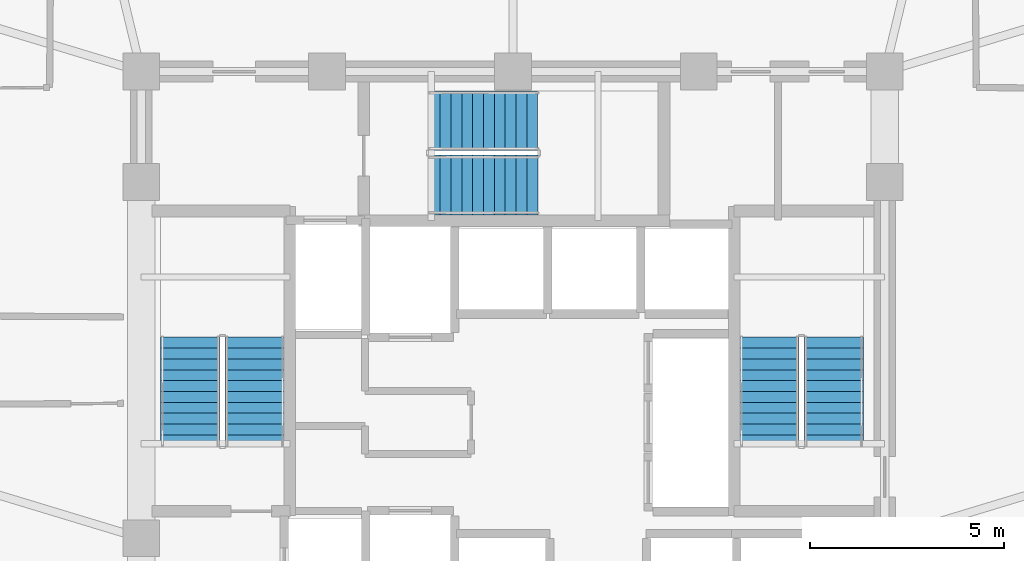
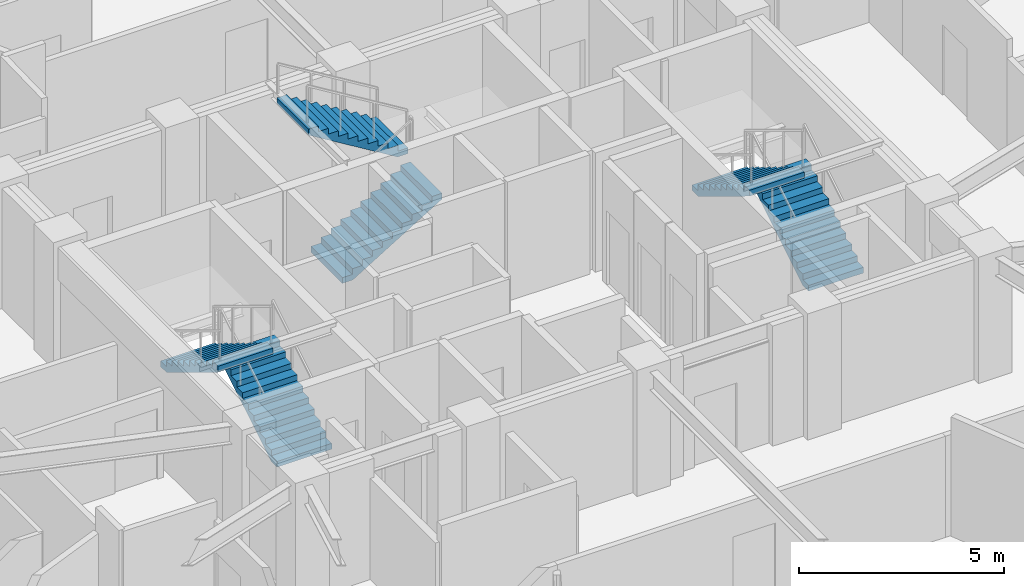
# One storey, part 13 of 16: 6 stair flights, 3 elements without a shape of their own.
"""IFC4 building model written with IfcOpenShell, lengths in metres."""

from ifc_helpers import new_model, si_unit, direction, frame, origin, place, context, subcontext, project, spatial, polyline, outline, extrude, material, type_object, element, aggregate, save


model = new_model("IFC4")

# Units and contexts
model_context = context("Model", 3, precision=1e-05, world=origin(), true_north=direction((0.0, 1.0)))
body_context = subcontext(model_context, "Body", "Model", "MODEL_VIEW")
ifc_project = project(units=[si_unit("LENGTHUNIT", "METRE"), si_unit("AREAUNIT", "SQUARE_METRE"), si_unit("VOLUMEUNIT", "CUBIC_METRE"), si_unit("PLANEANGLEUNIT", "RADIAN"), si_unit("MASSUNIT", "GRAM", prefix="KILO")], contexts=[model_context])

# Site, building, storey
site_placement = place(None, origin())
site = spatial("IfcSite", under=ifc_project, at=site_placement, CompositionType="ELEMENT")
building_placement = place(site_placement, origin())
building = spatial("IfcBuilding", under=site, at=building_placement, Name="Vantalir Tower", CompositionType="ELEMENT")
storey_placement = place(building_placement, frame((0.0, 0.0, 145.949951171875)))
storey = spatial("IfcBuildingStorey", under=building, at=storey_placement, Name="L36", CompositionType="ELEMENT", Elevation=145.949951171875)

# Stair, stair flights
ifc_material = material(Name="Concrete C40/50", Category="concrete")
stair_type = type_object("IfcStairType", Name="STR-CORE-1450", PredefinedType="HALF_TURN_STAIR", material=ifc_material)
stair_1_placement = place(storey_placement, origin())
stair_1 = element("IfcStair", 1, at=stair_1_placement, inside=storey, type_object=stair_type, Name="L36 Core Exit Stair 1", PredefinedType="HALF_TURN_STAIR")
stair_flight_type = type_object("IfcStairFlightType", Name="FLT-CORE-1450", PredefinedType="STRAIGHT", material=ifc_material)
stair_flight_1_placement = place(storey_placement, frame((24.830078125, 22.7900390625, 0.0), z_axis=(0.0, 0.0, 1.0), x_axis=(0.0, 1.0, 0.0)))
stair_flight_1 = element("IfcStairFlight", 2, at=stair_flight_1_placement, type_object=stair_flight_type, Name="ST1 flight 1", NumberOfRisers=11, NumberOfTreads=10, PredefinedType="STRAIGHT", RiserHeight=0.170454545, TreadLength=0.28, context=body_context, shape_type="SweptSolid", body=[
    extrude(outline(polyline([(0.0, 0.0), (0.0, 0.17041015625), (0.280029296875, 0.17041015625), (0.280029296875, 0.3408203125), (0.56005859375, 0.3408203125), (0.56005859375, 0.511474609375), (0.840087890625, 0.511474609375), (0.840087890625, 0.681884765625), (1.1201171875, 0.681884765625), (1.1201171875, 0.852294921875), (1.39990234375, 0.852294921875), (1.39990234375, 1.022705078125), (1.679931640625, 1.022705078125), (1.679931640625, 1.193115234375), (1.9599609375, 1.193115234375), (1.9599609375, 1.363525390625), (2.239990234375, 1.363525390625), (2.239990234375, 1.5341796875), (2.52001953125, 1.5341796875), (2.52001953125, 1.70458984375), (2.800048828125, 1.70458984375), (2.800048828125, 1.875), (2.800048828125, 1.529052734375), (0.288330078125, 0.0), (0.0, 0.0)])), frame((0.0, 0.77001953125, 0.0), z_axis=(0.0, -1.0, 0.0), x_axis=(1.0, 0.0, 0.0)), (0.0, 0.0, 1.0), 1.5400390625),
])
stair_flight_2_placement = place(storey_placement, frame((23.169921875, 25.590087890625, 1.875), z_axis=(0.0, 0.0, 1.0), x_axis=(0.0, -1.0, 0.0)))
stair_flight_2 = element("IfcStairFlight", 3, at=stair_flight_2_placement, type_object=stair_flight_type, Name="ST1 flight 2", NumberOfRisers=11, NumberOfTreads=10, PredefinedType="STRAIGHT", RiserHeight=0.170454545, TreadLength=0.28, context=body_context, shape_type="SweptSolid", body=[
    extrude(outline(polyline([(0.0, 0.0), (0.0, 0.17041015625), (0.280029296875, 0.17041015625), (0.280029296875, 0.3408203125), (0.56005859375, 0.3408203125), (0.56005859375, 0.511474609375), (0.840087890625, 0.511474609375), (0.840087890625, 0.681884765625), (1.1201171875, 0.681884765625), (1.1201171875, 0.852294921875), (1.39990234375, 0.852294921875), (1.39990234375, 1.022705078125), (1.679931640625, 1.022705078125), (1.679931640625, 1.193115234375), (1.9599609375, 1.193115234375), (1.9599609375, 1.363525390625), (2.239990234375, 1.363525390625), (2.239990234375, 1.5341796875), (2.52001953125, 1.5341796875), (2.52001953125, 1.70458984375), (2.800048828125, 1.70458984375), (2.800048828125, 1.875), (2.800048828125, 1.529052734375), (0.288330078125, 0.0), (0.0, 0.0)])), frame((0.0, 0.77001953125, 0.0), z_axis=(0.0, -1.0, 0.0), x_axis=(1.0, 0.0, 0.0)), (0.0, 0.0, 1.0), 1.5400390625),
])
aggregate(stair_1, [stair_flight_1, stair_flight_2])

stair_2_placement = place(storey_placement, origin())
stair_2 = element("IfcStair", 4, at=stair_2_placement, inside=storey, type_object=stair_type, Name="L36 Core Exit Stair 2", PredefinedType="HALF_TURN_STAIR")
stair_flight_3_placement = place(storey_placement, frame((39.780029296875, 22.7900390625, 0.0), z_axis=(0.0, 0.0, 1.0), x_axis=(0.0, 1.0, 0.0)))
stair_flight_3 = element("IfcStairFlight", 5, at=stair_flight_3_placement, type_object=stair_flight_type, Name="ST2 flight 1", NumberOfRisers=11, NumberOfTreads=10, PredefinedType="STRAIGHT", RiserHeight=0.170454545, TreadLength=0.28, context=body_context, shape_type="SweptSolid", body=[
    extrude(outline(polyline([(0.0, 0.0), (0.0, 0.17041015625), (0.280029296875, 0.17041015625), (0.280029296875, 0.3408203125), (0.56005859375, 0.3408203125), (0.56005859375, 0.511474609375), (0.840087890625, 0.511474609375), (0.840087890625, 0.681884765625), (1.1201171875, 0.681884765625), (1.1201171875, 0.852294921875), (1.39990234375, 0.852294921875), (1.39990234375, 1.022705078125), (1.679931640625, 1.022705078125), (1.679931640625, 1.193115234375), (1.9599609375, 1.193115234375), (1.9599609375, 1.363525390625), (2.239990234375, 1.363525390625), (2.239990234375, 1.5341796875), (2.52001953125, 1.5341796875), (2.52001953125, 1.70458984375), (2.800048828125, 1.70458984375), (2.800048828125, 1.875), (2.800048828125, 1.529052734375), (0.288330078125, 0.0), (0.0, 0.0)])), frame((0.0, 0.77001953125, 0.0), z_axis=(0.0, -1.0, 0.0), x_axis=(1.0, 0.0, 0.0)), (0.0, 0.0, 1.0), 1.5400390625),
])
stair_flight_4_placement = place(storey_placement, frame((38.1201171875, 25.590087890625, 1.875), z_axis=(0.0, 0.0, 1.0), x_axis=(0.0, -1.0, 0.0)))
stair_flight_4 = element("IfcStairFlight", 6, at=stair_flight_4_placement, type_object=stair_flight_type, Name="ST2 flight 2", NumberOfRisers=11, NumberOfTreads=10, PredefinedType="STRAIGHT", RiserHeight=0.170454545, TreadLength=0.28, context=body_context, shape_type="SweptSolid", body=[
    extrude(outline(polyline([(0.0, 0.0), (0.0, 0.17041015625), (0.280029296875, 0.17041015625), (0.280029296875, 0.3408203125), (0.56005859375, 0.3408203125), (0.56005859375, 0.511474609375), (0.840087890625, 0.511474609375), (0.840087890625, 0.681884765625), (1.1201171875, 0.681884765625), (1.1201171875, 0.852294921875), (1.39990234375, 0.852294921875), (1.39990234375, 1.022705078125), (1.679931640625, 1.022705078125), (1.679931640625, 1.193115234375), (1.9599609375, 1.193115234375), (1.9599609375, 1.363525390625), (2.239990234375, 1.363525390625), (2.239990234375, 1.5341796875), (2.52001953125, 1.5341796875), (2.52001953125, 1.70458984375), (2.800048828125, 1.70458984375), (2.800048828125, 1.875), (2.800048828125, 1.529052734375), (0.288330078125, 0.0), (0.0, 0.0)])), frame((0.0, 0.77001953125, 0.0), z_axis=(0.0, -1.0, 0.0), x_axis=(1.0, 0.0, 0.0)), (0.0, 0.0, 1.0), 1.5400390625),
])
aggregate(stair_2, [stair_flight_3, stair_flight_4])

stair_3_placement = place(storey_placement, origin())
stair_3 = element("IfcStair", 7, at=stair_3_placement, inside=storey, type_object=stair_type, Name="L36 Core Exit Stair 3", PredefinedType="HALF_TURN_STAIR")
stair_flight_5_placement = place(storey_placement, frame((29.340087890625, 29.52001953125, 0.0), z_axis=(0.0, 0.0, 1.0), x_axis=(1.0, 0.0, 0.0)))
stair_flight_5 = element("IfcStairFlight", 8, at=stair_flight_5_placement, type_object=stair_flight_type, Name="ST3 flight 1", NumberOfRisers=11, NumberOfTreads=10, PredefinedType="STRAIGHT", RiserHeight=0.170454545, TreadLength=0.28, context=body_context, shape_type="SweptSolid", body=[
    extrude(outline(polyline([(0.0, 0.0), (0.0, 0.17041015625), (0.280029296875, 0.17041015625), (0.280029296875, 0.3408203125), (0.56005859375, 0.3408203125), (0.56005859375, 0.511474609375), (0.840087890625, 0.511474609375), (0.840087890625, 0.681884765625), (1.1201171875, 0.681884765625), (1.1201171875, 0.852294921875), (1.39990234375, 0.852294921875), (1.39990234375, 1.022705078125), (1.679931640625, 1.022705078125), (1.679931640625, 1.193115234375), (1.9599609375, 1.193115234375), (1.9599609375, 1.363525390625), (2.239990234375, 1.363525390625), (2.239990234375, 1.5341796875), (2.52001953125, 1.5341796875), (2.52001953125, 1.70458984375), (2.800048828125, 1.70458984375), (2.800048828125, 1.875), (2.800048828125, 1.529052734375), (0.288330078125, 0.0), (0.0, 0.0)])), frame((0.0, 0.77001953125, 0.0), z_axis=(0.0, -1.0, 0.0), x_axis=(1.0, 0.0, 0.0)), (0.0, 0.0, 1.0), 1.5400390625),
])
stair_flight_6_placement = place(storey_placement, frame((32.139892578125, 31.179931640625, 1.875), z_axis=(0.0, 0.0, 1.0), x_axis=(-1.0, 0.0, 0.0)))
stair_flight_6 = element("IfcStairFlight", 9, at=stair_flight_6_placement, type_object=stair_flight_type, Name="ST3 flight 2", NumberOfRisers=11, NumberOfTreads=10, PredefinedType="STRAIGHT", RiserHeight=0.170454545, TreadLength=0.28, context=body_context, shape_type="SweptSolid", body=[
    extrude(outline(polyline([(0.0, 0.0), (0.0, 0.17041015625), (0.280029296875, 0.17041015625), (0.280029296875, 0.3408203125), (0.56005859375, 0.3408203125), (0.56005859375, 0.511474609375), (0.840087890625, 0.511474609375), (0.840087890625, 0.681884765625), (1.1201171875, 0.681884765625), (1.1201171875, 0.852294921875), (1.39990234375, 0.852294921875), (1.39990234375, 1.022705078125), (1.679931640625, 1.022705078125), (1.679931640625, 1.193115234375), (1.9599609375, 1.193115234375), (1.9599609375, 1.363525390625), (2.239990234375, 1.363525390625), (2.239990234375, 1.5341796875), (2.52001953125, 1.5341796875), (2.52001953125, 1.70458984375), (2.800048828125, 1.70458984375), (2.800048828125, 1.875), (2.800048828125, 1.529052734375), (0.288330078125, 0.0), (0.0, 0.0)])), frame((0.0, 0.77001953125, 0.0), z_axis=(0.0, -1.0, 0.0), x_axis=(1.0, 0.0, 0.0)), (0.0, 0.0, 1.0), 1.5400390625),
])
aggregate(stair_3, [stair_flight_5, stair_flight_6])

save(model, "model.ifc")
